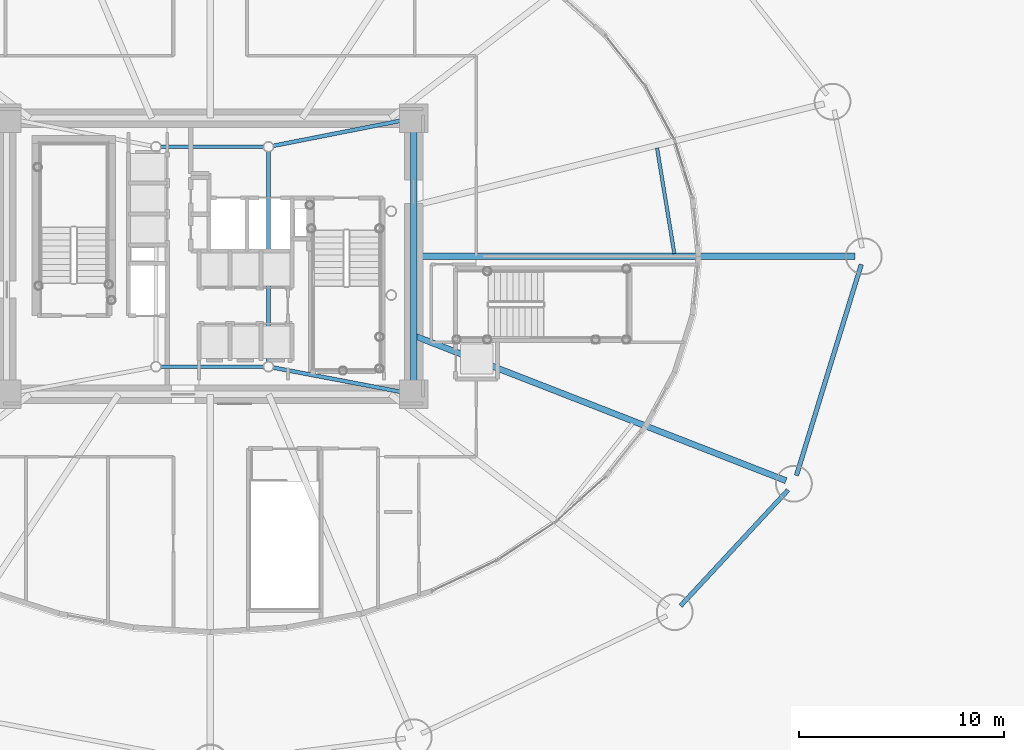
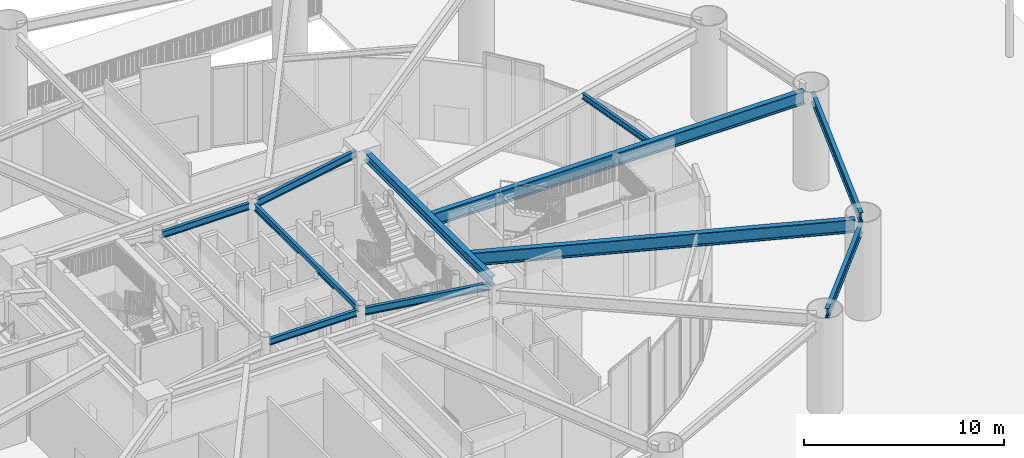
# One storey, part 15 of 46: 11 beams.
"""IFC4 building model written with IfcOpenShell, lengths in metres."""

from ifc_helpers import new_model, si_unit, direction, frame, origin, origin_2d, place, context, subcontext, project, spatial, i_section, extrude, material, material_profile, profile_set, type_object, element, save


model = new_model("IFC4")

# Units and contexts
model_context = context("Model", 3, precision=1e-05, world=origin(), true_north=direction((0.0, 1.0)))
body_context = subcontext(model_context, "Body", "Model", "MODEL_VIEW")
ifc_project = project(units=[si_unit("LENGTHUNIT", "METRE"), si_unit("AREAUNIT", "SQUARE_METRE"), si_unit("VOLUMEUNIT", "CUBIC_METRE"), si_unit("PLANEANGLEUNIT", "RADIAN"), si_unit("MASSUNIT", "GRAM", prefix="KILO")], contexts=[model_context])

# Site, building, storey
site_placement = place(None, origin())
site = spatial("IfcSite", under=ifc_project, at=site_placement, CompositionType="ELEMENT")
building_placement = place(site_placement, origin())
building = spatial("IfcBuilding", under=site, at=building_placement, Name="Linh Dai School and Residence Tower", CompositionType="ELEMENT")
storey_placement = place(building_placement, origin())
storey = spatial("IfcBuildingStorey", under=building, at=storey_placement, Name="L00", CompositionType="ELEMENT", Elevation=0.0)

# Beams
ifc_material = material(Name="Structural Steel S355JR", Category="steel")
ifc_material_profile_1 = material_profile(ifc_material, i_section(OverallWidth=0.219970703125, OverallDepth=0.60009765625, WebThickness=0.011962890625, FlangeThickness=0.01904296875, FilletRadius=0.02392578125, at=origin_2d()), Name="IPE 600")
ifc_profile_set_1 = profile_set([ifc_material_profile_1], Name="Structural Steel S355JR")
beam_type_1 = type_object("IfcBeamType", Name="BM-RB60", PredefinedType="BEAM", material=ifc_profile_set_1)
beam_1_placement = place(storey_placement, frame((58.990966796875, 9.9072265625, 5.39990234375), z_axis=(0.680345653715, 0.73289139132, 0.0), x_axis=(-0.73289139132, 0.680345653715, 0.0)))
element("IfcBeam", 1, at=beam_1_placement, inside=storey, type_object=beam_type_1, Name="L00 Perimeter Elliptical Ring Beam 15", PredefinedType="BEAM", context=body_context, shape_type="SweptSolid", body=[
    extrude(i_section(OverallWidth=0.219970703125, OverallDepth=0.60009765625, WebThickness=0.011962890625, FlangeThickness=0.01904296875, FilletRadius=0.02392578125, at=origin_2d()), origin(), (0.0, 0.0, 1.0), 7.726806640625),
])
beam_2_placement = place(storey_placement, frame((64.656982421875, 16.279541015625, 5.39990234375), z_axis=(0.293626522026, 0.955920219246, 0.0), x_axis=(-0.955920219246, 0.293626522026, 0.0)))
element("IfcBeam", 2, at=beam_2_placement, inside=storey, type_object=beam_type_1, Name="L00 Perimeter Elliptical Ring Beam 16", PredefinedType="BEAM", context=body_context, shape_type="SweptSolid", body=[
    extrude(i_section(OverallWidth=0.219970703125, OverallDepth=0.60009765625, WebThickness=0.011962890625, FlangeThickness=0.01904296875, FilletRadius=0.02392578125, at=origin_2d()), origin(), (0.0, 0.0, 1.0), 10.794921875),
])
ifc_material_profile_2 = material_profile(ifc_material, i_section(OverallWidth=0.300048828125, OverallDepth=0.550048828125, WebThickness=0.014892578125, FlangeThickness=0.029052734375, FilletRadius=0.027099609375, at=origin_2d()), Name="HEB 550")
ifc_profile_set_2 = profile_set([ifc_material_profile_2], Name="Structural Steel S355JR")
beam_type_2 = type_object("IfcBeamType", Name="BM-RG55", PredefinedType="BEAM", material=ifc_profile_set_2)
beam_3_placement = place(storey_placement, frame((45.949951171875, 20.669921875, 5.425048828125), z_axis=(0.0, 1.0, 0.0), x_axis=(-1.0, 0.0, 0.0)))
element("IfcBeam", 3, at=beam_3_placement, inside=storey, type_object=beam_type_2, Name="L00 Core Perimeter Coupling Girder 2", PredefinedType="BEAM", context=body_context, shape_type="SweptSolid", body=[
    extrude(i_section(OverallWidth=0.300048828125, OverallDepth=0.550048828125, WebThickness=0.014892578125, FlangeThickness=0.029052734375, FilletRadius=0.027099609375, at=origin_2d()), origin(), (0.0, 0.0, 1.0), 12.66015625),
])
ifc_material_profile_3 = material_profile(ifc_material, i_section(OverallWidth=0.300048828125, OverallDepth=0.800048828125, WebThickness=0.017578125, FlangeThickness=0.032958984375, FilletRadius=0.030029296875, at=origin_2d()), Name="HEB 800")
ifc_profile_set_3 = profile_set([ifc_material_profile_3], Name="Structural Steel S355JR")
beam_type_3 = type_object("IfcBeamType", Name="BM-RG8", PredefinedType="BEAM", material=ifc_profile_set_3)
beam_4_placement = place(storey_placement, frame((45.949951171875, 27.0, 5.300048828125), z_axis=(1.0, 0.0, 0.0), x_axis=(0.0, 1.0, 0.0)))
element("IfcBeam", 4, at=beam_4_placement, inside=storey, type_object=beam_type_3, Name="L00 Primary Radial Floor Girder 01", PredefinedType="BEAM", context=body_context, shape_type="SweptSolid", body=[
    extrude(i_section(OverallWidth=0.300048828125, OverallDepth=0.800048828125, WebThickness=0.017578125, FlangeThickness=0.032958984375, FilletRadius=0.030029296875, at=origin_2d()), origin(), (0.0, 0.0, 1.0), 21.580078125),
])
beam_5_placement = place(storey_placement, frame((45.949951171875, 23.12158203125, 5.300048828125), z_axis=(0.931723276589, -0.363169018312, 0.0), x_axis=(0.363169018312, 0.931723276589, 0.0)))
element("IfcBeam", 5, at=beam_5_placement, inside=storey, type_object=beam_type_3, Name="L00 Primary Radial Floor Girder 16", PredefinedType="BEAM", context=body_context, shape_type="SweptSolid", body=[
    extrude(i_section(OverallWidth=0.300048828125, OverallDepth=0.800048828125, WebThickness=0.017578125, FlangeThickness=0.032958984375, FilletRadius=0.030029296875, at=origin_2d()), origin(), (0.0, 0.0, 1.0), 19.525634765625),
])
ifc_material_profile_4 = material_profile(ifc_material, i_section(OverallWidth=0.169921875, OverallDepth=0.360107421875, WebThickness=0.008056640625, FlangeThickness=0.0126953125, FilletRadius=0.01806640625, at=origin_2d()), Name="IPE 360")
ifc_profile_set_4 = profile_set([ifc_material_profile_4], Name="Structural Steel S355JR")
beam_type_4 = type_object("IfcBeamType", Name="BM-SB36", PredefinedType="BEAM", material=ifc_profile_set_4)
beam_6_placement = place(storey_placement, frame((58.68896484375, 27.128173828125, 5.52001953125), z_axis=(-0.161492699369, 0.986873906865, 0.0), x_axis=(-0.986873906865, -0.161492699369, 0.0)))
element("IfcBeam", 6, at=beam_6_placement, inside=storey, type_object=beam_type_4, Name="L00 Secondary Circumferential Floor Beam 01", PredefinedType="BEAM", context=body_context, shape_type="SweptSolid", body=[
    extrude(i_section(OverallWidth=0.169921875, OverallDepth=0.360107421875, WebThickness=0.008056640625, FlangeThickness=0.0126953125, FilletRadius=0.01806640625, at=origin_2d()), origin(), (0.0, 0.0, 1.0), 5.232177734375),
])
ifc_material_profile_5 = material_profile(ifc_material, i_section(OverallWidth=0.179931640625, OverallDepth=0.39990234375, WebThickness=0.008544921875, FlangeThickness=0.013427734375, FilletRadius=0.02099609375, at=origin_2d()), Name="IPE 400")
ifc_profile_set_5 = profile_set([ifc_material_profile_5], Name="Structural Steel S355JR")
beam_type_5 = type_object("IfcBeamType", Name="BM-SB40", PredefinedType="BEAM", material=ifc_profile_set_5)
beam_7_placement = place(storey_placement, frame((33.573974609375, 21.60009765625, 5.5), z_axis=(1.0, 0.0, 0.0), x_axis=(0.0, 1.0, 0.0)))
element("IfcBeam", 7, at=beam_7_placement, inside=storey, type_object=beam_type_5, Name="L00 Core Mast Pier Tie Beam 1", PredefinedType="BEAM", context=body_context, shape_type="SweptSolid", body=[
    extrude(i_section(OverallWidth=0.179931640625, OverallDepth=0.39990234375, WebThickness=0.008544921875, FlangeThickness=0.013427734375, FilletRadius=0.02099609375, at=origin_2d()), origin(), (0.0, 0.0, 1.0), 5.052001953125),
])
beam_8_placement = place(storey_placement, frame((38.85009765625, 21.823974609375, 5.5), z_axis=(0.0, 1.0, 0.0), x_axis=(-1.0, 0.0, 0.0)))
element("IfcBeam", 8, at=beam_8_placement, inside=storey, type_object=beam_type_5, Name="L00 Core Mast Pier Tie Beam 2", PredefinedType="BEAM", context=body_context, shape_type="SweptSolid", body=[
    extrude(i_section(OverallWidth=0.179931640625, OverallDepth=0.39990234375, WebThickness=0.008544921875, FlangeThickness=0.013427734375, FilletRadius=0.02099609375, at=origin_2d()), origin(), (0.0, 0.0, 1.0), 10.302001953125),
])
beam_9_placement = place(storey_placement, frame((38.6259765625, 32.35009765625, 5.5), z_axis=(-1.0, 0.0, 0.0), x_axis=(0.0, -1.0, 0.0)))
element("IfcBeam", 9, at=beam_9_placement, inside=storey, type_object=beam_type_5, Name="L00 Core Mast Pier Tie Beam 3", PredefinedType="BEAM", context=body_context, shape_type="SweptSolid", body=[
    extrude(i_section(OverallWidth=0.179931640625, OverallDepth=0.39990234375, WebThickness=0.008544921875, FlangeThickness=0.013427734375, FilletRadius=0.02099609375, at=origin_2d()), origin(), (0.0, 0.0, 1.0), 5.052001953125),
])
ifc_material_profile_6 = material_profile(ifc_material, i_section(OverallWidth=0.18994140625, OverallDepth=0.449951171875, WebThickness=0.009521484375, FlangeThickness=0.0146484375, FilletRadius=0.02099609375, at=origin_2d()), Name="IPE 450")
ifc_profile_set_6 = profile_set([ifc_material_profile_6], Name="Structural Steel S355JR")
beam_type_6 = type_object("IfcBeamType", Name="BM-SB45", PredefinedType="BEAM", material=ifc_profile_set_6)
beam_10_placement = place(storey_placement, frame((45.537353515625, 20.328369140625, 5.47509765625), z_axis=(-0.982397918823, 0.186800238471, 0.0), x_axis=(-0.186800238471, -0.982397918823, 0.0)))
element("IfcBeam", 10, at=beam_10_placement, inside=storey, type_object=beam_type_6, Name="L00 Core Corner-to-Mast Pier Beam 2", PredefinedType="BEAM", context=body_context, shape_type="SweptSolid", body=[
    extrude(i_section(OverallWidth=0.18994140625, OverallDepth=0.449951171875, WebThickness=0.009521484375, FlangeThickness=0.0146484375, FilletRadius=0.02099609375, at=origin_2d()), origin(), (0.0, 0.0, 1.0), 6.583251953125),
])
beam_11_placement = place(storey_placement, frame((45.537841796875, 33.668701171875, 5.47509765625), z_axis=(-0.981108354988, -0.193459028666, 0.0), x_axis=(0.193459028666, -0.981108354988, 0.0)))
element("IfcBeam", 11, at=beam_11_placement, inside=storey, type_object=beam_type_6, Name="L00 Core Corner-to-Mast Pier Beam 3", PredefinedType="BEAM", context=body_context, shape_type="SweptSolid", body=[
    extrude(i_section(OverallWidth=0.18994140625, OverallDepth=0.449951171875, WebThickness=0.009521484375, FlangeThickness=0.0146484375, FilletRadius=0.02099609375, at=origin_2d()), origin(), (0.0, 0.0, 1.0), 6.592529296875),
])

save(model, "model.ifc")
